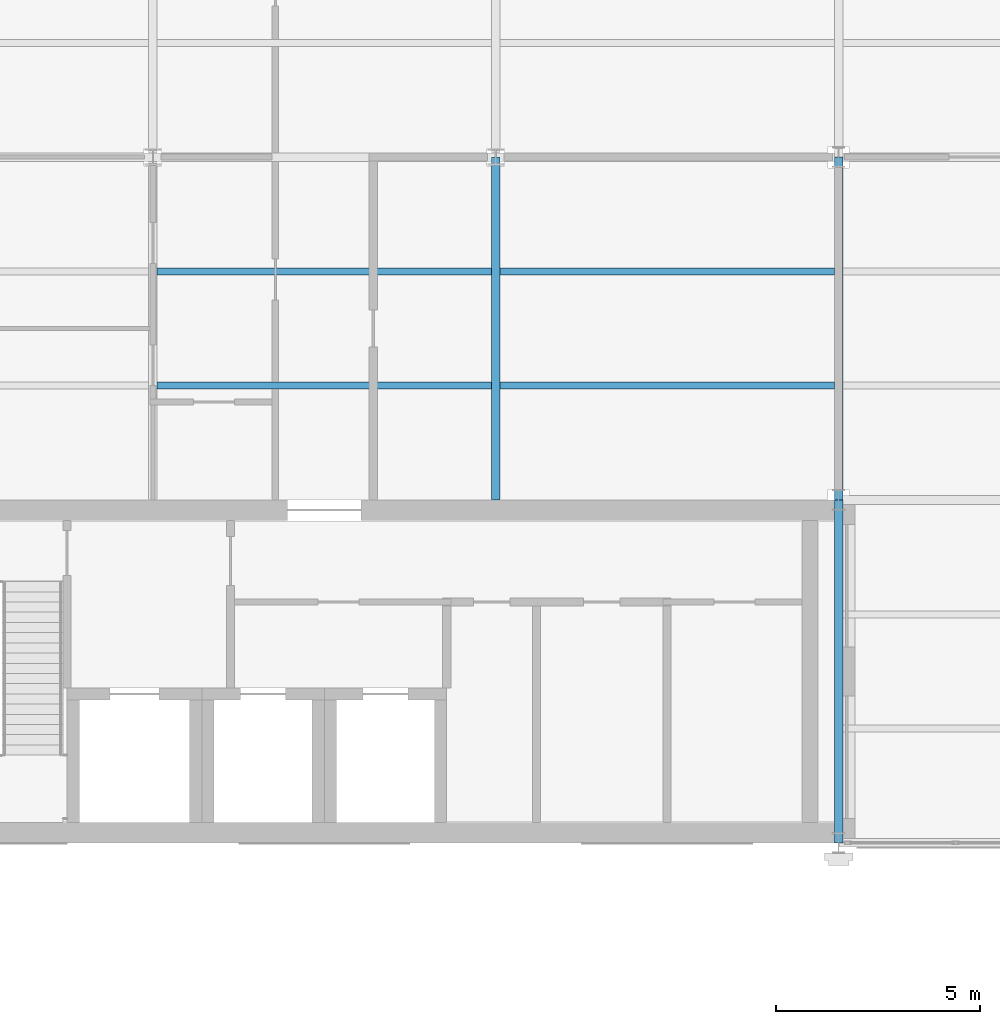
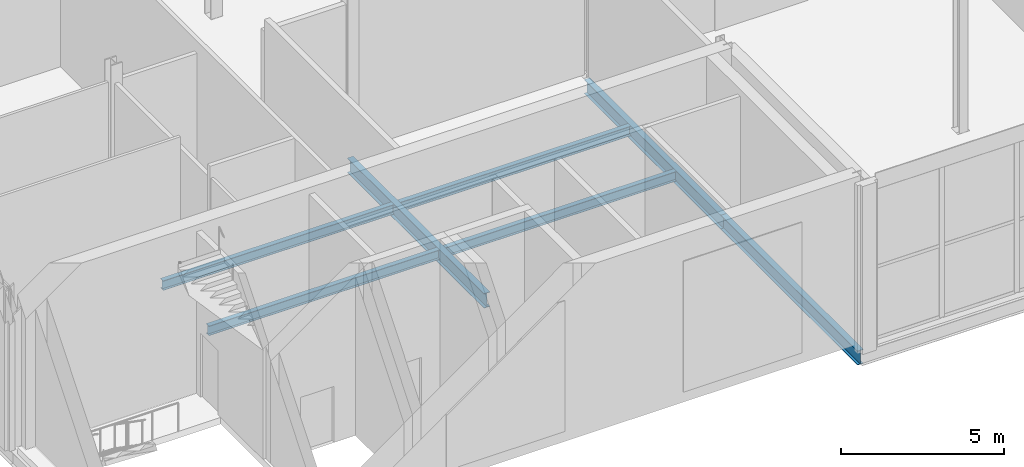
# One storey, part 28 of 77: 7 beams.
"""IFC4 building model written with IfcOpenShell, lengths in metres."""

from ifc_helpers import new_model, si_unit, direction, frame, origin, origin_2d, place, context, subcontext, project, spatial, i_section, extrude, material, material_profile, profile_set, type_object, element, save


model = new_model("IFC4")

# Units and contexts
model_context = context("Model", 3, precision=1e-05, world=origin(), true_north=direction((0.0, 1.0)))
body_context = subcontext(model_context, "Body", "Model", "MODEL_VIEW")
ifc_project = project(units=[si_unit("LENGTHUNIT", "METRE"), si_unit("AREAUNIT", "SQUARE_METRE"), si_unit("VOLUMEUNIT", "CUBIC_METRE"), si_unit("PLANEANGLEUNIT", "RADIAN"), si_unit("MASSUNIT", "GRAM", prefix="KILO")], contexts=[model_context])

# Site, building, storey
site_placement = place(None, origin())
site = spatial("IfcSite", under=ifc_project, at=site_placement, CompositionType="ELEMENT")
building_placement = place(site_placement, origin())
building = spatial("IfcBuilding", under=site, at=building_placement, Name="Catenary Quay Ferry Terminal", CompositionType="ELEMENT")
storey_placement = place(building_placement, frame((0.0, 0.0, 10.800048828125)))
storey = spatial("IfcBuildingStorey", under=building, at=storey_placement, Name="L02", CompositionType="ELEMENT", Elevation=10.800048828125)

# Beams
ifc_material_1 = material(Name="Steel S355", Category="steel")
ifc_material_profile_1 = material_profile(ifc_material_1, i_section(OverallWidth=0.208740234375, OverallDepth=0.5283203125, WebThickness=0.009521484375, FlangeThickness=0.01318359375, at=origin_2d()), Name="UB 533x210x82")
ifc_profile_set_1 = profile_set([ifc_material_profile_1], Name="Steel S355")
beam_type_1 = type_object("IfcBeamType", Name="B5 UB 533x210x82", PredefinedType="BEAM", material=ifc_profile_set_1)
for number, where, z_axis, x_axis, name in (
    (1, (50.39990234375, 159.60009765625, -0.51416015625), (0.0, 1.0, 0.0), (-1.0, 0.0, 0.0), "Beam B5-032"),
    (2, (50.39990234375, 168.0, -0.51416015625), (0.0, 1.0, 0.0), (-1.0, 0.0, 0.0), "Beam B5-033"),
):
    element("IfcBeam", number, at=place(storey_placement, frame(where, z_axis=z_axis, x_axis=x_axis)), inside=storey, type_object=beam_type_1, Name=name, PredefinedType="BEAM", context=body_context, shape_type="SweptSolid", body=[
        extrude(i_section(OverallWidth=0.208740234375, OverallDepth=0.5283203125, WebThickness=0.009521484375, FlangeThickness=0.01318359375, at=origin_2d()), origin(), (0.0, 0.0, 1.0), 8.39990234375),
    ])
ifc_material_2 = material(Name="Steel S355", Category="steel")
ifc_material_profile_2 = material_profile(ifc_material_2, i_section(OverallWidth=0.2099609375, OverallDepth=0.550048828125, WebThickness=0.010986328125, FlangeThickness=0.01708984375, at=origin_2d()), Name="IPE 550")
ifc_profile_set_2 = profile_set([ifc_material_profile_2], Name="Steel S355")
beam_type_2 = type_object("IfcBeamType", Name="B6 IPE 550", PredefinedType="BEAM", material=ifc_profile_set_2)
beam_1_placement = place(storey_placement, frame((42.0, 168.0, -0.525146484375), z_axis=(0.0, 1.0, 0.0), x_axis=(-1.0, 0.0, 0.0)))
element("IfcBeam", 3, at=beam_1_placement, inside=storey, type_object=beam_type_2, Name="Beam B6-005", PredefinedType="BEAM", context=body_context, shape_type="SweptSolid", body=[
    extrude(i_section(OverallWidth=0.2099609375, OverallDepth=0.550048828125, WebThickness=0.010986328125, FlangeThickness=0.01708984375, at=origin_2d()), origin(), (0.0, 0.0, 1.0), 8.39990234375),
])
ifc_material_3 = material(Name="Steel S355", Category="steel")
ifc_material_profile_3 = material_profile(ifc_material_3, i_section(OverallWidth=0.169921875, OverallDepth=0.360107421875, WebThickness=0.008056640625, FlangeThickness=0.0126953125, at=origin_2d()), Name="IPE 360")
ifc_profile_set_3 = profile_set([ifc_material_profile_3], Name="Steel S355")
beam_type_3 = type_object("IfcBeamType", Name="B7 IPE 360", PredefinedType="BEAM", material=ifc_profile_set_3)
beam_2_placement = place(storey_placement, frame((33.705078125, 170.800048828125, -0.429931640625), z_axis=(1.0, 0.0, 0.0), x_axis=(0.0, 1.0, 0.0)))
element("IfcBeam", 4, at=beam_2_placement, inside=storey, type_object=beam_type_3, Name="Beam B7-006", PredefinedType="BEAM", context=body_context, shape_type="SweptSolid", body=[
    extrude(i_section(OverallWidth=0.169921875, OverallDepth=0.360107421875, WebThickness=0.008056640625, FlangeThickness=0.0126953125, at=origin_2d()), origin(), (0.0, 0.0, 1.0), 8.18994140625),
])
beam_3_placement = place(storey_placement, frame((42.10498046875, 170.800048828125, -0.429931640625), z_axis=(1.0, 0.0, 0.0), x_axis=(0.0, 1.0, 0.0)))
element("IfcBeam", 5, at=beam_3_placement, inside=storey, type_object=beam_type_3, Name="Beam B7-007", PredefinedType="BEAM", context=body_context, shape_type="SweptSolid", body=[
    extrude(i_section(OverallWidth=0.169921875, OverallDepth=0.360107421875, WebThickness=0.008056640625, FlangeThickness=0.0126953125, at=origin_2d()), origin(), (0.0, 0.0, 1.0), 8.19091796875),
])
beam_4_placement = place(storey_placement, frame((33.705078125, 173.60009765625, -0.429931640625), z_axis=(1.0, 0.0, 0.0), x_axis=(0.0, 1.0, 0.0)))
element("IfcBeam", 6, at=beam_4_placement, inside=storey, type_object=beam_type_3, Name="Beam B7-011", PredefinedType="BEAM", context=body_context, shape_type="SweptSolid", body=[
    extrude(i_section(OverallWidth=0.169921875, OverallDepth=0.360107421875, WebThickness=0.008056640625, FlangeThickness=0.0126953125, at=origin_2d()), origin(), (0.0, 0.0, 1.0), 8.18994140625),
])
beam_5_placement = place(storey_placement, frame((42.10498046875, 173.60009765625, -0.429931640625), z_axis=(1.0, 0.0, 0.0), x_axis=(0.0, 1.0, 0.0)))
element("IfcBeam", 7, at=beam_5_placement, inside=storey, type_object=beam_type_3, Name="Beam B7-012", PredefinedType="BEAM", context=body_context, shape_type="SweptSolid", body=[
    extrude(i_section(OverallWidth=0.169921875, OverallDepth=0.360107421875, WebThickness=0.008056640625, FlangeThickness=0.0126953125, at=origin_2d()), origin(), (0.0, 0.0, 1.0), 8.19091796875),
])

save(model, "model.ifc")
